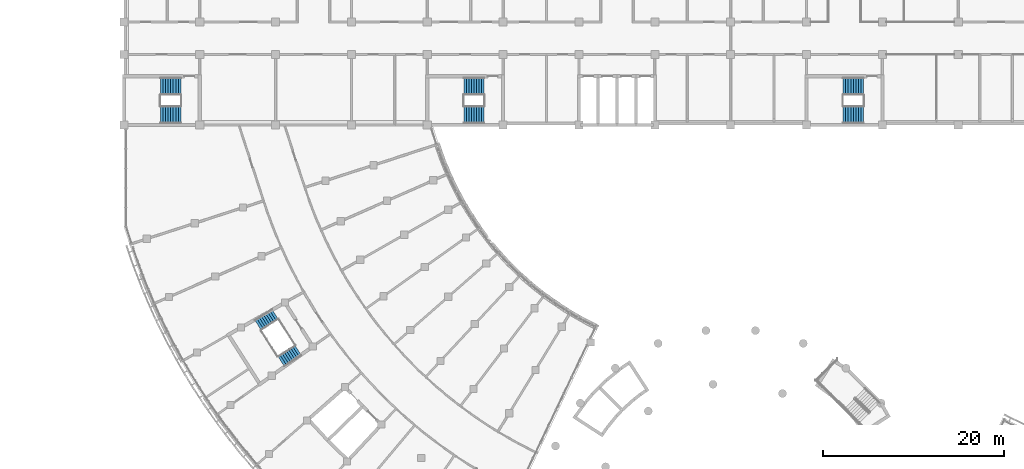
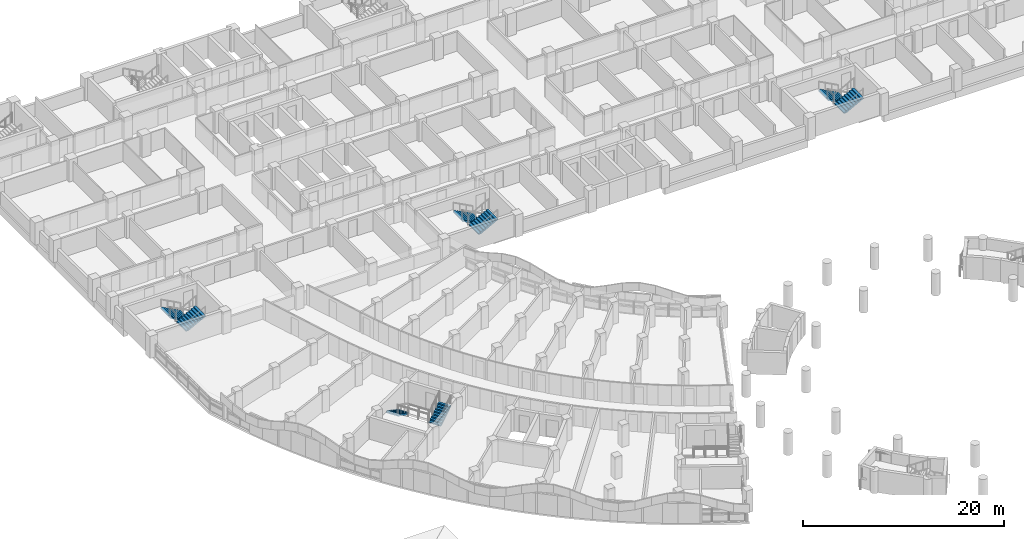
# One storey, part 64 of 89: 8 stair flights, 4 elements without a shape of their own.
"""IFC4 building model written with IfcOpenShell, lengths in metres."""

from ifc_helpers import new_model, si_unit, direction, frame, origin, place, context, subcontext, project, spatial, polyline, outline, extrude, material, type_object, element, aggregate, save


model = new_model("IFC4")

# Units and contexts
model_context = context("Model", 3, precision=1e-05, world=origin(), true_north=direction((0.0, 1.0)))
body_context = subcontext(model_context, "Body", "Model", "MODEL_VIEW")
ifc_project = project(units=[si_unit("LENGTHUNIT", "METRE"), si_unit("AREAUNIT", "SQUARE_METRE"), si_unit("VOLUMEUNIT", "CUBIC_METRE"), si_unit("PLANEANGLEUNIT", "RADIAN"), si_unit("MASSUNIT", "GRAM", prefix="KILO")], contexts=[model_context])

# Site, building, storey
site_placement = place(None, origin())
site = spatial("IfcSite", under=ifc_project, at=site_placement, CompositionType="ELEMENT")
building_placement = place(site_placement, origin())
building = spatial("IfcBuilding", under=site, at=building_placement, Name="Bougainvillea Quay General Hospital", CompositionType="ELEMENT")
storey_placement = place(building_placement, frame((0.0, 0.0, 9.89990234375)))
storey = spatial("IfcBuildingStorey", under=building, at=storey_placement, Name="L01M", CompositionType="ELEMENT", Elevation=9.89990234375)

# Stair, stair flights
ifc_material = material(Name="Concrete C35", Category="concrete")
stair_type_1 = type_object("IfcStairType", Name="Stair half-turn 1350 wide", PredefinedType="HALF_TURN_STAIR", material=ifc_material)
stair_1_placement = place(storey_placement, origin())
stair_1 = element("IfcStair", 1, at=stair_1_placement, inside=storey, type_object=stair_type_1, Name="L01M stair ST-W2", PredefinedType="HALF_TURN_STAIR")
stair_flight_type_1 = type_object("IfcStairFlightType", Name="Stair flight 1350", PredefinedType="STRAIGHT", material=ifc_material)
stair_flight_1_placement = place(storey_placement, frame((58.736572265625, 96.6396484375, 0.0), z_axis=(0.0, 0.0, 1.0), x_axis=(-0.842999170031, -0.537914862526, 0.0)))
stair_flight_1 = element("IfcStairFlight", 2, at=stair_flight_1_placement, type_object=stair_flight_type_1, Name="ST-W2 flight 1", NumberOfRisers=9, NumberOfTreads=8, PredefinedType="STRAIGHT", RiserHeight=0.15, TreadLength=0.28, context=body_context, shape_type="SweptSolid", body=[
    extrude(outline(polyline([(-0.0029296875, 0.0), (-0.0029296875, 0.003662109375), (-0.0029296875, 0.00732421875), (-0.0029296875, 0.010986328125), (-0.0029296875, 0.0146484375), (-0.0029296875, 0.018310546875), (-0.0029296875, 0.02197265625), (-0.0029296875, 0.025634765625), (-0.0029296875, 0.029296875), (-0.0029296875, 0.032958984375), (-0.0029296875, 0.03662109375), (-0.0029296875, 0.040283203125), (-0.0029296875, 0.0439453125), (-0.0029296875, 0.047607421875), (-0.0029296875, 0.05126953125), (-0.0029296875, 0.054931640625), (-0.0029296875, 0.05859375), (-0.0029296875, 0.062255859375), (-0.0029296875, 0.06591796875), (-0.0029296875, 0.069580078125), (-0.0029296875, 0.0732421875), (-0.0029296875, 0.076904296875), (-0.0029296875, 0.08056640625), (-0.0029296875, 0.084228515625), (-0.0029296875, 0.087890625), (-0.0029296875, 0.091552734375), (-0.0029296875, 0.09521484375), (-0.0029296875, 0.098876953125), (-0.0029296875, 0.1025390625), (-0.0029296875, 0.106201171875), (-0.0029296875, 0.10986328125), (-0.0029296875, 0.113525390625), (-0.0029296875, 0.1171875), (-0.0029296875, 0.120849609375), (-0.0029296875, 0.12451171875), (-0.0029296875, 0.1279296875), (-0.0029296875, 0.131591796875), (-0.0029296875, 0.13525390625), (-0.0029296875, 0.138916015625), (-0.0029296875, 0.142578125), (-0.0029296875, 0.146240234375), (-0.0029296875, 0.14990234375), (0.280029296875, 0.14990234375), (0.280029296875, 0.300048828125), (0.56005859375, 0.300048828125), (0.56005859375, 0.449951171875), (0.840087890625, 0.449951171875), (0.840087890625, 0.60009765625), (1.1201171875, 0.60009765625), (1.1201171875, 0.75), (1.39990234375, 0.75), (1.39990234375, 0.89990234375), (1.679931640625, 0.89990234375), (1.679931640625, 1.050048828125), (1.9599609375, 1.050048828125), (1.9599609375, 1.199951171875), (2.242919921875, 1.199951171875), (2.242919921875, 1.19580078125), (2.242919921875, 1.191650390625), (2.242919921875, 1.1875), (2.242919921875, 1.183349609375), (2.242919921875, 1.17919921875), (2.242919921875, 1.175048828125), (2.242919921875, 1.1708984375), (2.242919921875, 1.166748046875), (2.242919921875, 1.16259765625), (2.242919921875, 1.158447265625), (2.242919921875, 1.154296875), (2.242919921875, 1.150146484375), (2.242919921875, 1.14599609375), (2.242919921875, 1.141845703125), (2.242919921875, 1.1376953125), (2.242919921875, 1.133544921875), (2.242919921875, 1.12939453125), (2.242919921875, 1.125244140625), (2.242919921875, 1.12109375), (2.242919921875, 1.116943359375), (2.242919921875, 1.11279296875), (2.242919921875, 1.108642578125), (2.242919921875, 1.1044921875), (2.242919921875, 1.100341796875), (2.242919921875, 1.09619140625), (2.242919921875, 1.092041015625), (2.242919921875, 1.087890625), (2.242919921875, 1.083984375), (2.242919921875, 1.079833984375), (2.242919921875, 1.07568359375), (2.242919921875, 1.071533203125), (2.242919921875, 1.0673828125), (2.242919921875, 1.063232421875), (2.242919921875, 1.05908203125), (2.242919921875, 1.054931640625), (2.242919921875, 1.05078125), (2.242919921875, 1.046630859375), (2.242919921875, 1.04248046875), (2.242919921875, 1.038330078125), (2.242919921875, 1.0341796875), (2.242919921875, 1.030029296875), (0.3173828125, 0.0), (-0.0029296875, 0.0)])), frame((0.0, 0.675048828125, 0.0), z_axis=(0.0, -1.0, 0.0), x_axis=(1.0, 0.0, 0.0)), (0.0, 0.0, 1.0), 1.35009765625),
])
stair_flight_2_placement = place(storey_placement, frame((59.4150390625, 91.412109375, 1.35009765625), z_axis=(0.0, 0.0, 1.0), x_axis=(0.842999170031, 0.537914862526, 0.0)))
stair_flight_2 = element("IfcStairFlight", 3, at=stair_flight_2_placement, type_object=stair_flight_type_1, Name="ST-W2 flight 2", NumberOfRisers=9, NumberOfTreads=8, PredefinedType="STRAIGHT", RiserHeight=0.15, TreadLength=0.28, context=body_context, shape_type="SweptSolid", body=[
    extrude(outline(polyline([(-0.0029296875, 0.0), (-0.0029296875, 0.003662109375), (-0.0029296875, 0.00732421875), (-0.0029296875, 0.010986328125), (-0.0029296875, 0.0146484375), (-0.0029296875, 0.018310546875), (-0.0029296875, 0.02197265625), (-0.0029296875, 0.025634765625), (-0.0029296875, 0.029296875), (-0.0029296875, 0.032958984375), (-0.0029296875, 0.03662109375), (-0.0029296875, 0.040283203125), (-0.0029296875, 0.0439453125), (-0.0029296875, 0.047607421875), (-0.0029296875, 0.05126953125), (-0.0029296875, 0.054931640625), (-0.0029296875, 0.05859375), (-0.0029296875, 0.062255859375), (-0.0029296875, 0.06591796875), (-0.0029296875, 0.069580078125), (-0.0029296875, 0.0732421875), (-0.0029296875, 0.076904296875), (-0.0029296875, 0.08056640625), (-0.0029296875, 0.084228515625), (-0.0029296875, 0.087890625), (-0.0029296875, 0.091552734375), (-0.0029296875, 0.09521484375), (-0.0029296875, 0.098876953125), (-0.0029296875, 0.1025390625), (-0.0029296875, 0.106201171875), (-0.0029296875, 0.10986328125), (-0.0029296875, 0.113525390625), (-0.0029296875, 0.1171875), (-0.0029296875, 0.120849609375), (-0.0029296875, 0.12451171875), (-0.0029296875, 0.1279296875), (-0.0029296875, 0.131591796875), (-0.0029296875, 0.13525390625), (-0.0029296875, 0.138916015625), (-0.0029296875, 0.142578125), (-0.0029296875, 0.146240234375), (-0.0029296875, 0.14990234375), (0.280029296875, 0.14990234375), (0.280029296875, 0.300048828125), (0.56005859375, 0.300048828125), (0.56005859375, 0.449951171875), (0.840087890625, 0.449951171875), (0.840087890625, 0.60009765625), (1.1201171875, 0.60009765625), (1.1201171875, 0.75), (1.39990234375, 0.75), (1.39990234375, 0.89990234375), (1.679931640625, 0.89990234375), (1.679931640625, 1.050048828125), (1.9599609375, 1.050048828125), (1.9599609375, 1.199951171875), (2.242919921875, 1.199951171875), (2.242919921875, 1.19580078125), (2.242919921875, 1.191650390625), (2.242919921875, 1.1875), (2.242919921875, 1.183349609375), (2.242919921875, 1.17919921875), (2.242919921875, 1.175048828125), (2.242919921875, 1.1708984375), (2.242919921875, 1.166748046875), (2.242919921875, 1.16259765625), (2.242919921875, 1.158447265625), (2.242919921875, 1.154296875), (2.242919921875, 1.150146484375), (2.242919921875, 1.14599609375), (2.242919921875, 1.141845703125), (2.242919921875, 1.1376953125), (2.242919921875, 1.133544921875), (2.242919921875, 1.12939453125), (2.242919921875, 1.125244140625), (2.242919921875, 1.12109375), (2.242919921875, 1.116943359375), (2.242919921875, 1.11279296875), (2.242919921875, 1.108642578125), (2.242919921875, 1.1044921875), (2.242919921875, 1.100341796875), (2.242919921875, 1.09619140625), (2.242919921875, 1.092041015625), (2.242919921875, 1.087890625), (2.242919921875, 1.083984375), (2.242919921875, 1.079833984375), (2.242919921875, 1.07568359375), (2.242919921875, 1.071533203125), (2.242919921875, 1.0673828125), (2.242919921875, 1.063232421875), (2.242919921875, 1.05908203125), (2.242919921875, 1.054931640625), (2.242919921875, 1.05078125), (2.242919921875, 1.046630859375), (2.242919921875, 1.04248046875), (2.242919921875, 1.038330078125), (2.242919921875, 1.0341796875), (2.242919921875, 1.030029296875), (0.3173828125, 0.0), (-0.0029296875, 0.0)])), frame((0.0, 0.675048828125, 0.0), z_axis=(0.0, -1.0, 0.0), x_axis=(1.0, 0.0, 0.0)), (0.0, 0.0, 1.0), 1.35009765625),
])
aggregate(stair_1, [stair_flight_1, stair_flight_2])

stair_type_2 = type_object("IfcStairType", Name="Stair half-turn 1925 wide", PredefinedType="HALF_TURN_STAIR", material=ifc_material)
stair_2_placement = place(storey_placement, origin())
stair_2 = element("IfcStair", 4, at=stair_2_placement, inside=storey, type_object=stair_type_2, Name="L01M stair ST-B1", PredefinedType="HALF_TURN_STAIR")
stair_flight_type_2 = type_object("IfcStairFlightType", Name="Stair flight 1925", PredefinedType="STRAIGHT", material=ifc_material)
stair_flight_3_placement = place(storey_placement, frame((48.300048828125, 121.862548828125, 0.0), z_axis=(0.0, 0.0, 1.0), x_axis=(-1.0, 0.0, 0.0)))
stair_flight_3 = element("IfcStairFlight", 5, at=stair_flight_3_placement, type_object=stair_flight_type_2, Name="ST-B1 flight 1", NumberOfRisers=9, NumberOfTreads=8, PredefinedType="STRAIGHT", RiserHeight=0.15, TreadLength=0.28, context=body_context, shape_type="SweptSolid", body=[
    extrude(outline(polyline([(-0.0029296875, 0.0), (-0.0029296875, 0.003662109375), (-0.0029296875, 0.00732421875), (-0.0029296875, 0.010986328125), (-0.0029296875, 0.0146484375), (-0.0029296875, 0.018310546875), (-0.0029296875, 0.02197265625), (-0.0029296875, 0.025634765625), (-0.0029296875, 0.029296875), (-0.0029296875, 0.032958984375), (-0.0029296875, 0.03662109375), (-0.0029296875, 0.040283203125), (-0.0029296875, 0.0439453125), (-0.0029296875, 0.047607421875), (-0.0029296875, 0.05126953125), (-0.0029296875, 0.054931640625), (-0.0029296875, 0.05859375), (-0.0029296875, 0.062255859375), (-0.0029296875, 0.06591796875), (-0.0029296875, 0.069580078125), (-0.0029296875, 0.0732421875), (-0.0029296875, 0.076904296875), (-0.0029296875, 0.08056640625), (-0.0029296875, 0.084228515625), (-0.0029296875, 0.087890625), (-0.0029296875, 0.091552734375), (-0.0029296875, 0.09521484375), (-0.0029296875, 0.098876953125), (-0.0029296875, 0.1025390625), (-0.0029296875, 0.106201171875), (-0.0029296875, 0.10986328125), (-0.0029296875, 0.113525390625), (-0.0029296875, 0.1171875), (-0.0029296875, 0.120849609375), (-0.0029296875, 0.12451171875), (-0.0029296875, 0.1279296875), (-0.0029296875, 0.131591796875), (-0.0029296875, 0.13525390625), (-0.0029296875, 0.138916015625), (-0.0029296875, 0.142578125), (-0.0029296875, 0.146240234375), (-0.0029296875, 0.14990234375), (0.280029296875, 0.14990234375), (0.280029296875, 0.300048828125), (0.56005859375, 0.300048828125), (0.56005859375, 0.449951171875), (0.840087890625, 0.449951171875), (0.840087890625, 0.60009765625), (1.1201171875, 0.60009765625), (1.1201171875, 0.75), (1.39990234375, 0.75), (1.39990234375, 0.89990234375), (1.679931640625, 0.89990234375), (1.679931640625, 1.050048828125), (1.9599609375, 1.050048828125), (1.9599609375, 1.199951171875), (2.242919921875, 1.199951171875), (2.242919921875, 1.19580078125), (2.242919921875, 1.191650390625), (2.242919921875, 1.1875), (2.242919921875, 1.183349609375), (2.242919921875, 1.17919921875), (2.242919921875, 1.175048828125), (2.242919921875, 1.1708984375), (2.242919921875, 1.166748046875), (2.242919921875, 1.16259765625), (2.242919921875, 1.158447265625), (2.242919921875, 1.154296875), (2.242919921875, 1.150146484375), (2.242919921875, 1.14599609375), (2.242919921875, 1.141845703125), (2.242919921875, 1.1376953125), (2.242919921875, 1.133544921875), (2.242919921875, 1.12939453125), (2.242919921875, 1.125244140625), (2.242919921875, 1.12109375), (2.242919921875, 1.116943359375), (2.242919921875, 1.11279296875), (2.242919921875, 1.108642578125), (2.242919921875, 1.1044921875), (2.242919921875, 1.100341796875), (2.242919921875, 1.09619140625), (2.242919921875, 1.092041015625), (2.242919921875, 1.087890625), (2.242919921875, 1.083984375), (2.242919921875, 1.079833984375), (2.242919921875, 1.07568359375), (2.242919921875, 1.071533203125), (2.242919921875, 1.0673828125), (2.242919921875, 1.063232421875), (2.242919921875, 1.05908203125), (2.242919921875, 1.054931640625), (2.242919921875, 1.05078125), (2.242919921875, 1.046630859375), (2.242919921875, 1.04248046875), (2.242919921875, 1.038330078125), (2.242919921875, 1.0341796875), (2.242919921875, 1.030029296875), (0.3173828125, 0.0), (-0.0029296875, 0.0)])), frame((0.0, 0.96240234375, 0.0), z_axis=(0.0, -1.0, 0.0), x_axis=(1.0, 0.0, 0.0)), (0.0, 0.0, 1.0), 1.925048828125),
])
stair_flight_4_placement = place(storey_placement, frame((46.06005859375, 118.737548828125, 1.35009765625), z_axis=(0.0, 0.0, 1.0), x_axis=(1.0, 0.0, 0.0)))
stair_flight_4 = element("IfcStairFlight", 6, at=stair_flight_4_placement, type_object=stair_flight_type_2, Name="ST-B1 flight 2", NumberOfRisers=9, NumberOfTreads=8, PredefinedType="STRAIGHT", RiserHeight=0.15, TreadLength=0.28, context=body_context, shape_type="SweptSolid", body=[
    extrude(outline(polyline([(-0.0029296875, 0.0), (-0.0029296875, 0.003662109375), (-0.0029296875, 0.00732421875), (-0.0029296875, 0.010986328125), (-0.0029296875, 0.0146484375), (-0.0029296875, 0.018310546875), (-0.0029296875, 0.02197265625), (-0.0029296875, 0.025634765625), (-0.0029296875, 0.029296875), (-0.0029296875, 0.032958984375), (-0.0029296875, 0.03662109375), (-0.0029296875, 0.040283203125), (-0.0029296875, 0.0439453125), (-0.0029296875, 0.047607421875), (-0.0029296875, 0.05126953125), (-0.0029296875, 0.054931640625), (-0.0029296875, 0.05859375), (-0.0029296875, 0.062255859375), (-0.0029296875, 0.06591796875), (-0.0029296875, 0.069580078125), (-0.0029296875, 0.0732421875), (-0.0029296875, 0.076904296875), (-0.0029296875, 0.08056640625), (-0.0029296875, 0.084228515625), (-0.0029296875, 0.087890625), (-0.0029296875, 0.091552734375), (-0.0029296875, 0.09521484375), (-0.0029296875, 0.098876953125), (-0.0029296875, 0.1025390625), (-0.0029296875, 0.106201171875), (-0.0029296875, 0.10986328125), (-0.0029296875, 0.113525390625), (-0.0029296875, 0.1171875), (-0.0029296875, 0.120849609375), (-0.0029296875, 0.12451171875), (-0.0029296875, 0.1279296875), (-0.0029296875, 0.131591796875), (-0.0029296875, 0.13525390625), (-0.0029296875, 0.138916015625), (-0.0029296875, 0.142578125), (-0.0029296875, 0.146240234375), (-0.0029296875, 0.14990234375), (0.280029296875, 0.14990234375), (0.280029296875, 0.300048828125), (0.56005859375, 0.300048828125), (0.56005859375, 0.449951171875), (0.840087890625, 0.449951171875), (0.840087890625, 0.60009765625), (1.1201171875, 0.60009765625), (1.1201171875, 0.75), (1.39990234375, 0.75), (1.39990234375, 0.89990234375), (1.679931640625, 0.89990234375), (1.679931640625, 1.050048828125), (1.9599609375, 1.050048828125), (1.9599609375, 1.199951171875), (2.242919921875, 1.199951171875), (2.242919921875, 1.19580078125), (2.242919921875, 1.191650390625), (2.242919921875, 1.1875), (2.242919921875, 1.183349609375), (2.242919921875, 1.17919921875), (2.242919921875, 1.175048828125), (2.242919921875, 1.1708984375), (2.242919921875, 1.166748046875), (2.242919921875, 1.16259765625), (2.242919921875, 1.158447265625), (2.242919921875, 1.154296875), (2.242919921875, 1.150146484375), (2.242919921875, 1.14599609375), (2.242919921875, 1.141845703125), (2.242919921875, 1.1376953125), (2.242919921875, 1.133544921875), (2.242919921875, 1.12939453125), (2.242919921875, 1.125244140625), (2.242919921875, 1.12109375), (2.242919921875, 1.116943359375), (2.242919921875, 1.11279296875), (2.242919921875, 1.108642578125), (2.242919921875, 1.1044921875), (2.242919921875, 1.100341796875), (2.242919921875, 1.09619140625), (2.242919921875, 1.092041015625), (2.242919921875, 1.087890625), (2.242919921875, 1.083984375), (2.242919921875, 1.079833984375), (2.242919921875, 1.07568359375), (2.242919921875, 1.071533203125), (2.242919921875, 1.0673828125), (2.242919921875, 1.063232421875), (2.242919921875, 1.05908203125), (2.242919921875, 1.054931640625), (2.242919921875, 1.05078125), (2.242919921875, 1.046630859375), (2.242919921875, 1.04248046875), (2.242919921875, 1.038330078125), (2.242919921875, 1.0341796875), (2.242919921875, 1.030029296875), (0.3173828125, 0.0), (-0.0029296875, 0.0)])), frame((0.0, 0.96240234375, 0.0), z_axis=(0.0, -1.0, 0.0), x_axis=(1.0, 0.0, 0.0)), (0.0, 0.0, 1.0), 1.925048828125),
])
aggregate(stair_2, [stair_flight_3, stair_flight_4])

stair_3_placement = place(storey_placement, origin())
stair_3 = element("IfcStair", 7, at=stair_3_placement, inside=storey, type_object=stair_type_2, Name="L01M stair ST-B2", PredefinedType="HALF_TURN_STAIR")
stair_flight_5_placement = place(storey_placement, frame((81.89990234375, 121.862548828125, 0.0), z_axis=(0.0, 0.0, 1.0), x_axis=(-1.0, 0.0, 0.0)))
stair_flight_5 = element("IfcStairFlight", 8, at=stair_flight_5_placement, type_object=stair_flight_type_2, Name="ST-B2 flight 1", NumberOfRisers=9, NumberOfTreads=8, PredefinedType="STRAIGHT", RiserHeight=0.15, TreadLength=0.28, context=body_context, shape_type="SweptSolid", body=[
    extrude(outline(polyline([(-0.0029296875, 0.0), (-0.0029296875, 0.003662109375), (-0.0029296875, 0.00732421875), (-0.0029296875, 0.010986328125), (-0.0029296875, 0.0146484375), (-0.0029296875, 0.018310546875), (-0.0029296875, 0.02197265625), (-0.0029296875, 0.025634765625), (-0.0029296875, 0.029296875), (-0.0029296875, 0.032958984375), (-0.0029296875, 0.03662109375), (-0.0029296875, 0.040283203125), (-0.0029296875, 0.0439453125), (-0.0029296875, 0.047607421875), (-0.0029296875, 0.05126953125), (-0.0029296875, 0.054931640625), (-0.0029296875, 0.05859375), (-0.0029296875, 0.062255859375), (-0.0029296875, 0.06591796875), (-0.0029296875, 0.069580078125), (-0.0029296875, 0.0732421875), (-0.0029296875, 0.076904296875), (-0.0029296875, 0.08056640625), (-0.0029296875, 0.084228515625), (-0.0029296875, 0.087890625), (-0.0029296875, 0.091552734375), (-0.0029296875, 0.09521484375), (-0.0029296875, 0.098876953125), (-0.0029296875, 0.1025390625), (-0.0029296875, 0.106201171875), (-0.0029296875, 0.10986328125), (-0.0029296875, 0.113525390625), (-0.0029296875, 0.1171875), (-0.0029296875, 0.120849609375), (-0.0029296875, 0.12451171875), (-0.0029296875, 0.1279296875), (-0.0029296875, 0.131591796875), (-0.0029296875, 0.13525390625), (-0.0029296875, 0.138916015625), (-0.0029296875, 0.142578125), (-0.0029296875, 0.146240234375), (-0.0029296875, 0.14990234375), (0.280029296875, 0.14990234375), (0.280029296875, 0.300048828125), (0.56005859375, 0.300048828125), (0.56005859375, 0.449951171875), (0.840087890625, 0.449951171875), (0.840087890625, 0.60009765625), (1.1201171875, 0.60009765625), (1.1201171875, 0.75), (1.39990234375, 0.75), (1.39990234375, 0.89990234375), (1.679931640625, 0.89990234375), (1.679931640625, 1.050048828125), (1.9599609375, 1.050048828125), (1.9599609375, 1.199951171875), (2.242919921875, 1.199951171875), (2.242919921875, 1.19580078125), (2.242919921875, 1.191650390625), (2.242919921875, 1.1875), (2.242919921875, 1.183349609375), (2.242919921875, 1.17919921875), (2.242919921875, 1.175048828125), (2.242919921875, 1.1708984375), (2.242919921875, 1.166748046875), (2.242919921875, 1.16259765625), (2.242919921875, 1.158447265625), (2.242919921875, 1.154296875), (2.242919921875, 1.150146484375), (2.242919921875, 1.14599609375), (2.242919921875, 1.141845703125), (2.242919921875, 1.1376953125), (2.242919921875, 1.133544921875), (2.242919921875, 1.12939453125), (2.242919921875, 1.125244140625), (2.242919921875, 1.12109375), (2.242919921875, 1.116943359375), (2.242919921875, 1.11279296875), (2.242919921875, 1.108642578125), (2.242919921875, 1.1044921875), (2.242919921875, 1.100341796875), (2.242919921875, 1.09619140625), (2.242919921875, 1.092041015625), (2.242919921875, 1.087890625), (2.242919921875, 1.083984375), (2.242919921875, 1.079833984375), (2.242919921875, 1.07568359375), (2.242919921875, 1.071533203125), (2.242919921875, 1.0673828125), (2.242919921875, 1.063232421875), (2.242919921875, 1.05908203125), (2.242919921875, 1.054931640625), (2.242919921875, 1.05078125), (2.242919921875, 1.046630859375), (2.242919921875, 1.04248046875), (2.242919921875, 1.038330078125), (2.242919921875, 1.0341796875), (2.242919921875, 1.030029296875), (0.3173828125, 0.0), (-0.0029296875, 0.0)])), frame((0.0, 0.96240234375, 0.0), z_axis=(0.0, -1.0, 0.0), x_axis=(1.0, 0.0, 0.0)), (0.0, 0.0, 1.0), 1.925048828125),
])
stair_flight_6_placement = place(storey_placement, frame((79.659912109375, 118.737548828125, 1.35009765625), z_axis=(0.0, 0.0, 1.0), x_axis=(1.0, 0.0, 0.0)))
stair_flight_6 = element("IfcStairFlight", 9, at=stair_flight_6_placement, type_object=stair_flight_type_2, Name="ST-B2 flight 2", NumberOfRisers=9, NumberOfTreads=8, PredefinedType="STRAIGHT", RiserHeight=0.15, TreadLength=0.28, context=body_context, shape_type="SweptSolid", body=[
    extrude(outline(polyline([(-0.0029296875, 0.0), (-0.0029296875, 0.003662109375), (-0.0029296875, 0.00732421875), (-0.0029296875, 0.010986328125), (-0.0029296875, 0.0146484375), (-0.0029296875, 0.018310546875), (-0.0029296875, 0.02197265625), (-0.0029296875, 0.025634765625), (-0.0029296875, 0.029296875), (-0.0029296875, 0.032958984375), (-0.0029296875, 0.03662109375), (-0.0029296875, 0.040283203125), (-0.0029296875, 0.0439453125), (-0.0029296875, 0.047607421875), (-0.0029296875, 0.05126953125), (-0.0029296875, 0.054931640625), (-0.0029296875, 0.05859375), (-0.0029296875, 0.062255859375), (-0.0029296875, 0.06591796875), (-0.0029296875, 0.069580078125), (-0.0029296875, 0.0732421875), (-0.0029296875, 0.076904296875), (-0.0029296875, 0.08056640625), (-0.0029296875, 0.084228515625), (-0.0029296875, 0.087890625), (-0.0029296875, 0.091552734375), (-0.0029296875, 0.09521484375), (-0.0029296875, 0.098876953125), (-0.0029296875, 0.1025390625), (-0.0029296875, 0.106201171875), (-0.0029296875, 0.10986328125), (-0.0029296875, 0.113525390625), (-0.0029296875, 0.1171875), (-0.0029296875, 0.120849609375), (-0.0029296875, 0.12451171875), (-0.0029296875, 0.1279296875), (-0.0029296875, 0.131591796875), (-0.0029296875, 0.13525390625), (-0.0029296875, 0.138916015625), (-0.0029296875, 0.142578125), (-0.0029296875, 0.146240234375), (-0.0029296875, 0.14990234375), (0.280029296875, 0.14990234375), (0.280029296875, 0.300048828125), (0.56005859375, 0.300048828125), (0.56005859375, 0.449951171875), (0.840087890625, 0.449951171875), (0.840087890625, 0.60009765625), (1.1201171875, 0.60009765625), (1.1201171875, 0.75), (1.39990234375, 0.75), (1.39990234375, 0.89990234375), (1.679931640625, 0.89990234375), (1.679931640625, 1.050048828125), (1.9599609375, 1.050048828125), (1.9599609375, 1.199951171875), (2.242919921875, 1.199951171875), (2.242919921875, 1.19580078125), (2.242919921875, 1.191650390625), (2.242919921875, 1.1875), (2.242919921875, 1.183349609375), (2.242919921875, 1.17919921875), (2.242919921875, 1.175048828125), (2.242919921875, 1.1708984375), (2.242919921875, 1.166748046875), (2.242919921875, 1.16259765625), (2.242919921875, 1.158447265625), (2.242919921875, 1.154296875), (2.242919921875, 1.150146484375), (2.242919921875, 1.14599609375), (2.242919921875, 1.141845703125), (2.242919921875, 1.1376953125), (2.242919921875, 1.133544921875), (2.242919921875, 1.12939453125), (2.242919921875, 1.125244140625), (2.242919921875, 1.12109375), (2.242919921875, 1.116943359375), (2.242919921875, 1.11279296875), (2.242919921875, 1.108642578125), (2.242919921875, 1.1044921875), (2.242919921875, 1.100341796875), (2.242919921875, 1.09619140625), (2.242919921875, 1.092041015625), (2.242919921875, 1.087890625), (2.242919921875, 1.083984375), (2.242919921875, 1.079833984375), (2.242919921875, 1.07568359375), (2.242919921875, 1.071533203125), (2.242919921875, 1.0673828125), (2.242919921875, 1.063232421875), (2.242919921875, 1.05908203125), (2.242919921875, 1.054931640625), (2.242919921875, 1.05078125), (2.242919921875, 1.046630859375), (2.242919921875, 1.04248046875), (2.242919921875, 1.038330078125), (2.242919921875, 1.0341796875), (2.242919921875, 1.030029296875), (0.3173828125, 0.0), (-0.0029296875, 0.0)])), frame((0.0, 0.96240234375, 0.0), z_axis=(0.0, -1.0, 0.0), x_axis=(1.0, 0.0, 0.0)), (0.0, 0.0, 1.0), 1.925048828125),
])
aggregate(stair_3, [stair_flight_5, stair_flight_6])

stair_4_placement = place(storey_placement, origin())
stair_4 = element("IfcStair", 10, at=stair_4_placement, inside=storey, type_object=stair_type_2, Name="L01M stair ST-B3", PredefinedType="HALF_TURN_STAIR")
stair_flight_7_placement = place(storey_placement, frame((123.89990234375, 121.862548828125, 0.0), z_axis=(0.0, 0.0, 1.0), x_axis=(-1.0, 0.0, 0.0)))
stair_flight_7 = element("IfcStairFlight", 11, at=stair_flight_7_placement, type_object=stair_flight_type_2, Name="ST-B3 flight 1", NumberOfRisers=9, NumberOfTreads=8, PredefinedType="STRAIGHT", RiserHeight=0.15, TreadLength=0.28, context=body_context, shape_type="SweptSolid", body=[
    extrude(outline(polyline([(-0.0029296875, 0.0), (-0.0029296875, 0.003662109375), (-0.0029296875, 0.00732421875), (-0.0029296875, 0.010986328125), (-0.0029296875, 0.0146484375), (-0.0029296875, 0.018310546875), (-0.0029296875, 0.02197265625), (-0.0029296875, 0.025634765625), (-0.0029296875, 0.029296875), (-0.0029296875, 0.032958984375), (-0.0029296875, 0.03662109375), (-0.0029296875, 0.040283203125), (-0.0029296875, 0.0439453125), (-0.0029296875, 0.047607421875), (-0.0029296875, 0.05126953125), (-0.0029296875, 0.054931640625), (-0.0029296875, 0.05859375), (-0.0029296875, 0.062255859375), (-0.0029296875, 0.06591796875), (-0.0029296875, 0.069580078125), (-0.0029296875, 0.0732421875), (-0.0029296875, 0.076904296875), (-0.0029296875, 0.08056640625), (-0.0029296875, 0.084228515625), (-0.0029296875, 0.087890625), (-0.0029296875, 0.091552734375), (-0.0029296875, 0.09521484375), (-0.0029296875, 0.098876953125), (-0.0029296875, 0.1025390625), (-0.0029296875, 0.106201171875), (-0.0029296875, 0.10986328125), (-0.0029296875, 0.113525390625), (-0.0029296875, 0.1171875), (-0.0029296875, 0.120849609375), (-0.0029296875, 0.12451171875), (-0.0029296875, 0.1279296875), (-0.0029296875, 0.131591796875), (-0.0029296875, 0.13525390625), (-0.0029296875, 0.138916015625), (-0.0029296875, 0.142578125), (-0.0029296875, 0.146240234375), (-0.0029296875, 0.14990234375), (0.280029296875, 0.14990234375), (0.280029296875, 0.300048828125), (0.56005859375, 0.300048828125), (0.56005859375, 0.449951171875), (0.840087890625, 0.449951171875), (0.840087890625, 0.60009765625), (1.1201171875, 0.60009765625), (1.1201171875, 0.75), (1.39990234375, 0.75), (1.39990234375, 0.89990234375), (1.679931640625, 0.89990234375), (1.679931640625, 1.050048828125), (1.9599609375, 1.050048828125), (1.9599609375, 1.199951171875), (2.242919921875, 1.199951171875), (2.242919921875, 1.19580078125), (2.242919921875, 1.191650390625), (2.242919921875, 1.1875), (2.242919921875, 1.183349609375), (2.242919921875, 1.17919921875), (2.242919921875, 1.175048828125), (2.242919921875, 1.1708984375), (2.242919921875, 1.166748046875), (2.242919921875, 1.16259765625), (2.242919921875, 1.158447265625), (2.242919921875, 1.154296875), (2.242919921875, 1.150146484375), (2.242919921875, 1.14599609375), (2.242919921875, 1.141845703125), (2.242919921875, 1.1376953125), (2.242919921875, 1.133544921875), (2.242919921875, 1.12939453125), (2.242919921875, 1.125244140625), (2.242919921875, 1.12109375), (2.242919921875, 1.116943359375), (2.242919921875, 1.11279296875), (2.242919921875, 1.108642578125), (2.242919921875, 1.1044921875), (2.242919921875, 1.100341796875), (2.242919921875, 1.09619140625), (2.242919921875, 1.092041015625), (2.242919921875, 1.087890625), (2.242919921875, 1.083984375), (2.242919921875, 1.079833984375), (2.242919921875, 1.07568359375), (2.242919921875, 1.071533203125), (2.242919921875, 1.0673828125), (2.242919921875, 1.063232421875), (2.242919921875, 1.05908203125), (2.242919921875, 1.054931640625), (2.242919921875, 1.05078125), (2.242919921875, 1.046630859375), (2.242919921875, 1.04248046875), (2.242919921875, 1.038330078125), (2.242919921875, 1.0341796875), (2.242919921875, 1.030029296875), (0.3173828125, 0.0), (-0.0029296875, 0.0)])), frame((0.0, 0.96240234375, 0.0), z_axis=(0.0, -1.0, 0.0), x_axis=(1.0, 0.0, 0.0)), (0.0, 0.0, 1.0), 1.925048828125),
])
stair_flight_8_placement = place(storey_placement, frame((121.659912109375, 118.737548828125, 1.35009765625), z_axis=(0.0, 0.0, 1.0), x_axis=(1.0, 0.0, 0.0)))
stair_flight_8 = element("IfcStairFlight", 12, at=stair_flight_8_placement, type_object=stair_flight_type_2, Name="ST-B3 flight 2", NumberOfRisers=9, NumberOfTreads=8, PredefinedType="STRAIGHT", RiserHeight=0.15, TreadLength=0.28, context=body_context, shape_type="SweptSolid", body=[
    extrude(outline(polyline([(-0.0029296875, 0.0), (-0.0029296875, 0.003662109375), (-0.0029296875, 0.00732421875), (-0.0029296875, 0.010986328125), (-0.0029296875, 0.0146484375), (-0.0029296875, 0.018310546875), (-0.0029296875, 0.02197265625), (-0.0029296875, 0.025634765625), (-0.0029296875, 0.029296875), (-0.0029296875, 0.032958984375), (-0.0029296875, 0.03662109375), (-0.0029296875, 0.040283203125), (-0.0029296875, 0.0439453125), (-0.0029296875, 0.047607421875), (-0.0029296875, 0.05126953125), (-0.0029296875, 0.054931640625), (-0.0029296875, 0.05859375), (-0.0029296875, 0.062255859375), (-0.0029296875, 0.06591796875), (-0.0029296875, 0.069580078125), (-0.0029296875, 0.0732421875), (-0.0029296875, 0.076904296875), (-0.0029296875, 0.08056640625), (-0.0029296875, 0.084228515625), (-0.0029296875, 0.087890625), (-0.0029296875, 0.091552734375), (-0.0029296875, 0.09521484375), (-0.0029296875, 0.098876953125), (-0.0029296875, 0.1025390625), (-0.0029296875, 0.106201171875), (-0.0029296875, 0.10986328125), (-0.0029296875, 0.113525390625), (-0.0029296875, 0.1171875), (-0.0029296875, 0.120849609375), (-0.0029296875, 0.12451171875), (-0.0029296875, 0.1279296875), (-0.0029296875, 0.131591796875), (-0.0029296875, 0.13525390625), (-0.0029296875, 0.138916015625), (-0.0029296875, 0.142578125), (-0.0029296875, 0.146240234375), (-0.0029296875, 0.14990234375), (0.280029296875, 0.14990234375), (0.280029296875, 0.300048828125), (0.56005859375, 0.300048828125), (0.56005859375, 0.449951171875), (0.840087890625, 0.449951171875), (0.840087890625, 0.60009765625), (1.1201171875, 0.60009765625), (1.1201171875, 0.75), (1.39990234375, 0.75), (1.39990234375, 0.89990234375), (1.679931640625, 0.89990234375), (1.679931640625, 1.050048828125), (1.9599609375, 1.050048828125), (1.9599609375, 1.199951171875), (2.242919921875, 1.199951171875), (2.242919921875, 1.19580078125), (2.242919921875, 1.191650390625), (2.242919921875, 1.1875), (2.242919921875, 1.183349609375), (2.242919921875, 1.17919921875), (2.242919921875, 1.175048828125), (2.242919921875, 1.1708984375), (2.242919921875, 1.166748046875), (2.242919921875, 1.16259765625), (2.242919921875, 1.158447265625), (2.242919921875, 1.154296875), (2.242919921875, 1.150146484375), (2.242919921875, 1.14599609375), (2.242919921875, 1.141845703125), (2.242919921875, 1.1376953125), (2.242919921875, 1.133544921875), (2.242919921875, 1.12939453125), (2.242919921875, 1.125244140625), (2.242919921875, 1.12109375), (2.242919921875, 1.116943359375), (2.242919921875, 1.11279296875), (2.242919921875, 1.108642578125), (2.242919921875, 1.1044921875), (2.242919921875, 1.100341796875), (2.242919921875, 1.09619140625), (2.242919921875, 1.092041015625), (2.242919921875, 1.087890625), (2.242919921875, 1.083984375), (2.242919921875, 1.079833984375), (2.242919921875, 1.07568359375), (2.242919921875, 1.071533203125), (2.242919921875, 1.0673828125), (2.242919921875, 1.063232421875), (2.242919921875, 1.05908203125), (2.242919921875, 1.054931640625), (2.242919921875, 1.05078125), (2.242919921875, 1.046630859375), (2.242919921875, 1.04248046875), (2.242919921875, 1.038330078125), (2.242919921875, 1.0341796875), (2.242919921875, 1.030029296875), (0.3173828125, 0.0), (-0.0029296875, 0.0)])), frame((0.0, 0.96240234375, 0.0), z_axis=(0.0, -1.0, 0.0), x_axis=(1.0, 0.0, 0.0)), (0.0, 0.0, 1.0), 1.925048828125),
])
aggregate(stair_4, [stair_flight_7, stair_flight_8])

save(model, "model.ifc")
